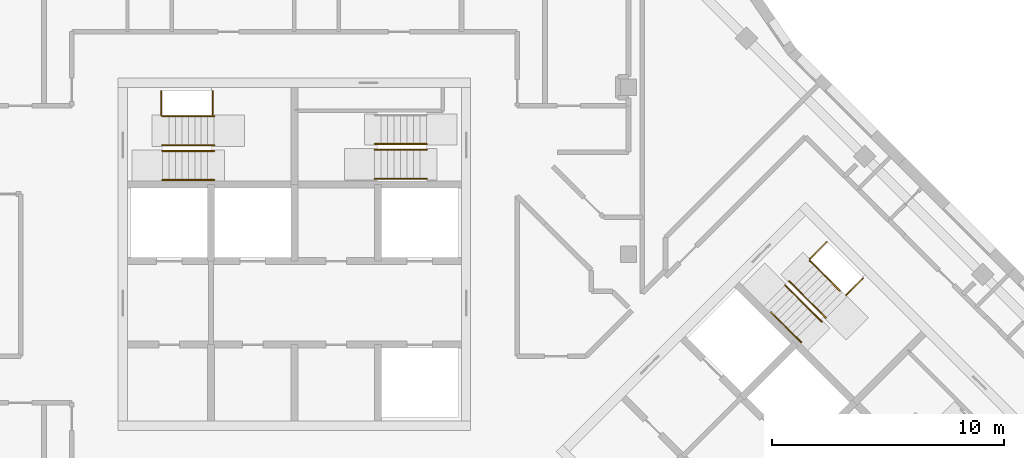
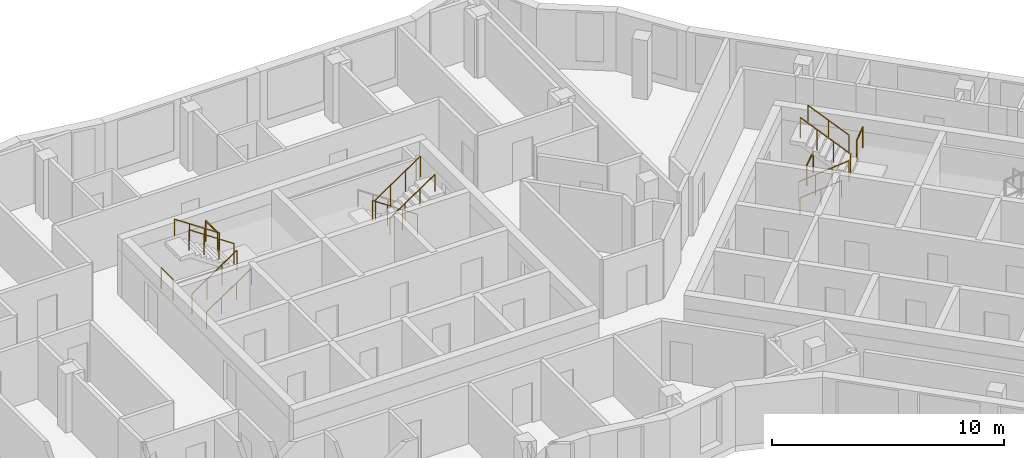
# One storey, part 9 of 11: 15 railings.
"""IFC4 building model written with IfcOpenShell, lengths in metres."""

import ifcopenshell
import ifcopenshell.guid

model = None  # the IFC model being written
_history = None  # IfcOwnerHistory: only IFC2X3 demands one
_inside = {}  # id of a spatial element -> (the spatial element, [elements in it])
_under = {}  # id of a project, library or spatial element -> (it, [spatial elements below it])
_declared = {}  # id of a project -> (the project, [libraries it declares])
_typed = {}  # id of a type object -> (the type object, [elements of that type])
_made_of = {}  # id of a material, layer set ... -> (it, [elements and type objects made of it])


def new_model(schema):
    """Start an empty IFC model of exactly this schema.

    Asked for "IFC4X3", IfcOpenShell would pick the latest addendum, in which some entities
    have other attributes; the version numbers below select the first issue.
    IFC2X3 requires an IfcOwnerHistory on every rooted entity: one is made here for all.
    """
    global model, _history
    if schema == "IFC4X3":
        model = ifcopenshell.file(schema_version=(4, 3, 0, 0))
    else:
        model = ifcopenshell.file(schema=schema)
    _inside.clear()
    _under.clear()
    _declared.clear()
    _typed.clear()
    _made_of.clear()
    _history = None
    if model.schema == "IFC2X3":
        org = make("IfcOrganization", Name="unknown")
        user = make(
            "IfcPersonAndOrganization",
            ThePerson=make("IfcPerson", FamilyName="unknown"),
            TheOrganization=org,
        )
        app = make(
            "IfcApplication",
            ApplicationDeveloper=org,
            Version="unknown",
            ApplicationFullName="unknown",
            ApplicationIdentifier="unknown",
        )
        _history = make(
            "IfcOwnerHistory",
            OwningUser=user,
            OwningApplication=app,
            ChangeAction="ADDED",
            CreationDate=0,
        )
    return model


def make(cls, **values):
    """One entity of the class cls with the attributes given. An attribute that is None is left unset."""
    return model.create_entity(
        cls, **{name: value for name, value in values.items() if value is not None}
    )


def rooted(cls, **values):
    """An entity with a GlobalId (a new one), such as an element, a storey or a relation."""
    return make(cls, GlobalId=ifcopenshell.guid.new(), OwnerHistory=_history, **values)


def si_unit(unit_type, name, prefix=None):
    """IfcSIUnit, for example si_unit("LENGTHUNIT", "METRE", prefix="MILLI")."""
    return make("IfcSIUnit", UnitType=unit_type, Prefix=prefix, Name=name)


def assignment(units):
    """IfcUnitAssignment: the units of a project."""
    return None if units is None else make("IfcUnitAssignment", Units=units)


def point(xyz):
    """IfcCartesianPoint."""
    return None if xyz is None else make("IfcCartesianPoint", Coordinates=xyz)


def direction(xyz):
    """IfcDirection."""
    return None if xyz is None else make("IfcDirection", DirectionRatios=xyz)


def frame(location, z_axis=None, x_axis=None):
    """IfcAxis2Placement3D, a coordinate frame: its origin and axes. An axis left out is left unset."""
    return make(
        "IfcAxis2Placement3D",
        Location=point(location),
        Axis=direction(z_axis),
        RefDirection=direction(x_axis),
    )


def frame_2d(location, x_axis=None):
    """IfcAxis2Placement2D, a coordinate frame in the plane: its origin and x axis."""
    return make(
        "IfcAxis2Placement2D", Location=point(location), RefDirection=direction(x_axis)
    )


def origin():
    """The frame at (0, 0, 0) with its axes left unset."""
    return frame((0.0, 0.0, 0.0))


def origin_2d():
    """The frame at (0, 0) in the plane with its x axis left unset."""
    return frame_2d((0.0, 0.0))


def place(relative_to, where):
    """IfcLocalPlacement: puts the frame where relative to a parent placement (None: the world)."""
    return make(
        "IfcLocalPlacement", PlacementRelTo=relative_to, RelativePlacement=where
    )


def context(
    kind, dimensions, precision=None, world=None, true_north=None, identifier=None
):
    """IfcGeometricRepresentationContext, for example the 3D "Model" context."""
    return make(
        "IfcGeometricRepresentationContext",
        ContextIdentifier=identifier,
        ContextType=kind,
        CoordinateSpaceDimension=dimensions,
        Precision=precision,
        WorldCoordinateSystem=world,
        TrueNorth=true_north,
    )


def subcontext(parent, identifier, kind, view, scale=None):
    """IfcGeometricRepresentationSubContext, for example "Body" below "Model"."""
    return make(
        "IfcGeometricRepresentationSubContext",
        ContextIdentifier=identifier,
        ContextType=kind,
        ParentContext=parent,
        TargetScale=scale,
        TargetView=view,
    )


def project(units=None, contexts=None):
    """IfcProject with its units and contexts."""
    return rooted(
        "IfcProject",
        Name="project",
        RepresentationContexts=contexts,
        UnitsInContext=assignment(units),
    )


def spatial(cls, under=None, at=None, **own):
    """A site, building, storey or space (cls), placed at a placement, below another one or the project."""
    s = rooted(cls, ObjectPlacement=at, **own)
    if under is not None:
        _under.setdefault(under.id(), (under, []))[1].append(s)
    return s


def profile(cls, at=None, kind="AREA", **sizes):
    """A parametric profile (cls). Its sizes go by their IFC names, for example OverallWidth=200.0."""
    return make(cls, ProfileType=kind, Position=at, **sizes)


def circle(**sizes):
    """IfcCircleProfileDef."""
    return profile("IfcCircleProfileDef", **sizes)


def extrude(swept, where, along, depth):
    """IfcExtrudedAreaSolid: the profile swept, set in the frame where, extruded along a direction by depth."""
    return make(
        "IfcExtrudedAreaSolid",
        SweptArea=swept,
        Position=where,
        ExtrudedDirection=direction(along),
        Depth=depth,
    )


def shape(context_of_items, identifier, shape_type, items):
    """IfcShapeRepresentation: the items that make up one representation, for example the "Body"."""
    return make(
        "IfcShapeRepresentation",
        ContextOfItems=context_of_items,
        RepresentationIdentifier=identifier,
        RepresentationType=shape_type,
        Items=items,
    )


def material(Name=None, Category=None):
    """IfcMaterial."""
    return make("IfcMaterial", Name=Name, Category=Category)


def made_of(thing, what):
    """Note that an element or type object is made of a material, layer set ...; save() writes the relation."""
    if what is not None:
        _made_of.setdefault(what.id(), (what, []))[1].append(thing)
    return thing


def type_object(cls, material=None, **own):
    """A type object (cls), such as IfcWallType, which elements share."""
    return made_of(rooted(cls, **own), material)


def element(
    cls,
    number,
    at=None,
    inside=None,
    cuts=None,
    type_object=None,
    material=None,
    context=None,
    identifier="Body",
    shape_type=None,
    held_by="IfcProductDefinitionShape",
    body=None,
    shapes=None,
    **own,
):
    """One element of the class cls, such as IfcWall. Its Tag is "e" and its number.

    at: its placement. inside: the storey or other place that contains it. cuts: it is an
    opening in that element (IfcRelVoidsElement). A single representation is given by context,
    identifier, shape_type and body (its items); several are given by shapes. held_by: the class
    of the entity that holds the representations. save() writes the other relations.
    """
    e = rooted(cls, Tag="e%d" % number, ObjectPlacement=at, **own)
    if body is not None:
        shapes = [shape(context, identifier, shape_type, body)]
    if shapes is not None:
        e.Representation = make(held_by, Representations=shapes)
    if inside is not None:
        _inside.setdefault(inside.id(), (inside, []))[1].append(e)
    if cuts is not None:
        rooted(
            "IfcRelVoidsElement", RelatingBuildingElement=cuts, RelatedOpeningElement=e
        )
    if type_object is not None:
        _typed.setdefault(type_object.id(), (type_object, []))[1].append(e)
    return made_of(e, material)


def aggregate(whole, parts):
    """IfcRelAggregates: a whole, such as a stair, and the parts it consists of."""
    return rooted("IfcRelAggregates", RelatingObject=whole, RelatedObjects=parts)


def save(model, path):
    """Write the relations noted so far, then the file.

    IfcRelAggregates (storeys below a building ...), IfcRelContainedInSpatialStructure (elements
    in a storey), IfcRelDefinesByType, IfcRelAssociatesMaterial and IfcRelDeclares: one each for
    every whole, place, type object, material and project.
    """
    for whole, parts in _under.values():
        aggregate(whole, parts)
    for where, things in _inside.values():
        rooted(
            "IfcRelContainedInSpatialStructure",
            RelatedElements=things,
            RelatingStructure=where,
        )
    for kind, things in _typed.values():
        rooted("IfcRelDefinesByType", RelatedObjects=things, RelatingType=kind)
    for what, things in _made_of.values():
        rooted("IfcRelAssociatesMaterial", RelatedObjects=things, RelatingMaterial=what)
    for by, libraries in _declared.values():
        rooted("IfcRelDeclares", RelatingContext=by, RelatedDefinitions=libraries)
    model.write(path)


model = new_model("IFC4")

# Units and contexts
model_context = context("Model", 3, precision=1e-05, world=origin(), true_north=direction((0.0, 1.0)))
body_context = subcontext(model_context, "Body", "Model", "MODEL_VIEW")
ifc_project = project(units=[si_unit("LENGTHUNIT", "METRE"), si_unit("AREAUNIT", "SQUARE_METRE"), si_unit("VOLUMEUNIT", "CUBIC_METRE"), si_unit("PLANEANGLEUNIT", "RADIAN"), si_unit("MASSUNIT", "GRAM", prefix="KILO")], contexts=[model_context])

# Site, building, storey
site_placement = place(None, origin())
site = spatial("IfcSite", under=ifc_project, at=site_placement, CompositionType="ELEMENT")
building_placement = place(site_placement, origin())
building = spatial("IfcBuilding", under=site, at=building_placement, Name="Windrow Commons", CompositionType="ELEMENT")
storey_placement = place(building_placement, frame((0.0, 0.0, 281.2)))
storey = spatial("IfcBuildingStorey", under=building, at=storey_placement, Name="L77", CompositionType="ELEMENT", Elevation=281.2)

# Railings
ifc_material_1 = material(Name="Steel S355", Category="steel")
railing_type_1 = type_object("IfcRailingType", Name="Core stair guard 1100", PredefinedType="GUARDRAIL", material=ifc_material_1)
railing_1_placement = place(storey_placement, frame((59.1, 62.05, 0.1889)))
element("IfcRailing", 1, at=railing_1_placement, inside=storey, type_object=railing_type_1, Name="L77 ST-A1 stair guard 1", PredefinedType="GUARDRAIL", context=body_context, shape_type="SweptSolid", body=[
    extrude(circle(Radius=0.024, at=origin_2d()), frame((0.0, 0.0, 1.076), z_axis=(0.8290030985, 0.0, 0.5592440099), x_axis=(0.0, 1.0, 0.0)), (0.0, 0.0, 1.0), 2.702),
    extrude(circle(Radius=0.021, at=origin_2d()), origin(), (0.0, 0.0, 1.0), 1.052),
    extrude(circle(Radius=0.021, at=origin_2d()), frame((0.7467, 0.0, 0.5037)), (0.0, 0.0, 1.0), 1.052),
    extrude(circle(Radius=0.021, at=origin_2d()), frame((1.4933, 0.0, 1.0074)), (0.0, 0.0, 1.0), 1.052),
    extrude(circle(Radius=0.021, at=origin_2d()), frame((2.24, 0.0, 1.5111)), (0.0, 0.0, 1.0), 1.052),
])
railing_2_placement = place(storey_placement, frame((61.34, 62.3, 1.8889)))
element("IfcRailing", 2, at=railing_2_placement, inside=storey, type_object=railing_type_1, Name="L77 ST-A1 stair guard 2", PredefinedType="GUARDRAIL", context=body_context, shape_type="SweptSolid", body=[
    extrude(circle(Radius=0.024, at=origin_2d()), frame((0.0, 0.0, 1.076), z_axis=(-0.8290030985, 0.0, 0.5592440099), x_axis=(0.0, -1.0, 0.0)), (0.0, 0.0, 1.0), 2.702),
    extrude(circle(Radius=0.021, at=origin_2d()), origin(), (0.0, 0.0, 1.0), 1.052),
    extrude(circle(Radius=0.021, at=origin_2d()), frame((-0.7467, 0.0, 0.5037)), (0.0, 0.0, 1.0), 1.052),
    extrude(circle(Radius=0.021, at=origin_2d()), frame((-1.4933, 0.0, 1.0074)), (0.0, 0.0, 1.0), 1.052),
    extrude(circle(Radius=0.021, at=origin_2d()), frame((-2.24, 0.0, 1.5111)), (0.0, 0.0, 1.0), 1.052),
])
for number, where, name in (
    (3, (59.05, 63.6, 0.0), "L77 ST-A1 stair guard 3"),
    (4, (61.27, 63.6, 1.7), "L77 ST-A1 stair guard 4"),
):
    element("IfcRailing", number, at=place(storey_placement, frame(where)), inside=storey, type_object=railing_type_1, Name=name, PredefinedType="GUARDRAIL", context=body_context, shape_type="SweptSolid", body=[
        extrude(circle(Radius=0.024, at=origin_2d()), frame((0.0, 0.0, 1.076), z_axis=(0.0, 1.0, 0.0), x_axis=(-1.0, 0.0, 0.0)), (0.0, 0.0, 1.0), 1.03),
        extrude(circle(Radius=0.021, at=origin_2d()), origin(), (0.0, 0.0, 1.0), 1.052),
        extrude(circle(Radius=0.021, at=origin_2d()), frame((0.0, 1.03, 0.0)), (0.0, 0.0, 1.0), 1.052),
    ])
railing_3_placement = place(storey_placement, frame((70.5, 62.355, 0.1889)))
element("IfcRailing", 5, at=railing_3_placement, inside=storey, type_object=railing_type_1, Name="L77 ST-A2 stair guard 1", PredefinedType="GUARDRAIL", context=body_context, shape_type="SweptSolid", body=[
    extrude(circle(Radius=0.024, at=origin_2d()), frame((0.0, 0.0, 1.076), z_axis=(-0.8290030985, 0.0, 0.5592440099), x_axis=(0.0, -1.0, 0.0)), (0.0, 0.0, 1.0), 2.702),
    extrude(circle(Radius=0.021, at=origin_2d()), origin(), (0.0, 0.0, 1.0), 1.052),
    extrude(circle(Radius=0.021, at=origin_2d()), frame((-0.7467, 0.0, 0.5037)), (0.0, 0.0, 1.0), 1.052),
    extrude(circle(Radius=0.021, at=origin_2d()), frame((-1.4933, 0.0, 1.0074)), (0.0, 0.0, 1.0), 1.052),
    extrude(circle(Radius=0.021, at=origin_2d()), frame((-2.24, 0.0, 1.5111)), (0.0, 0.0, 1.0), 1.052),
])
railing_4_placement = place(storey_placement, frame((68.26, 62.105, 1.8889)))
element("IfcRailing", 6, at=railing_4_placement, inside=storey, type_object=railing_type_1, Name="L77 ST-A2 stair guard 2", PredefinedType="GUARDRAIL", context=body_context, shape_type="SweptSolid", body=[
    extrude(circle(Radius=0.024, at=origin_2d()), frame((0.0, 0.0, 1.076), z_axis=(0.8290030985, 0.0, 0.5592440099), x_axis=(0.0, 1.0, 0.0)), (0.0, 0.0, 1.0), 2.702),
    extrude(circle(Radius=0.021, at=origin_2d()), origin(), (0.0, 0.0, 1.0), 1.052),
    extrude(circle(Radius=0.021, at=origin_2d()), frame((0.7467, 0.0, 0.5037)), (0.0, 0.0, 1.0), 1.052),
    extrude(circle(Radius=0.021, at=origin_2d()), frame((1.4933, 0.0, 1.0074)), (0.0, 0.0, 1.0), 1.052),
    extrude(circle(Radius=0.021, at=origin_2d()), frame((2.24, 0.0, 1.5111)), (0.0, 0.0, 1.0), 1.052),
])
railing_5_placement = place(storey_placement, frame((85.9529, 56.2669, 0.1889)))
element("IfcRailing", 7, at=railing_5_placement, inside=storey, type_object=railing_type_1, Name="L77 ST-B1 stair guard 1", PredefinedType="GUARDRAIL", context=body_context, shape_type="SweptSolid", body=[
    extrude(circle(Radius=0.024, at=origin_2d()), frame((0.0, 0.0, 1.076), z_axis=(0.5861914914, -0.5861914914, 0.5592486664), x_axis=(0.7071067812, 0.7071067812, 0.0)), (0.0, 0.0, 1.0), 2.702),
    extrude(circle(Radius=0.021, at=origin_2d()), origin(), (0.0, 0.0, 1.0), 1.052),
    extrude(circle(Radius=0.021, at=origin_2d()), frame((0.528, -0.528, 0.5037)), (0.0, 0.0, 1.0), 1.052),
    extrude(circle(Radius=0.021, at=origin_2d()), frame((1.0559, -1.0559, 1.0074)), (0.0, 0.0, 1.0), 1.052),
    extrude(circle(Radius=0.021, at=origin_2d()), frame((1.5839, -1.5839, 1.5111)), (0.0, 0.0, 1.0), 1.052),
])
railing_6_placement = place(storey_placement, frame((87.7136, 54.8597, 1.8889)))
element("IfcRailing", 8, at=railing_6_placement, inside=storey, type_object=railing_type_1, Name="L77 ST-B1 stair guard 2", PredefinedType="GUARDRAIL", context=body_context, shape_type="SweptSolid", body=[
    extrude(circle(Radius=0.024, at=origin_2d()), frame((0.0, 0.0, 1.076), z_axis=(-0.5862030657, 0.5862030657, 0.5592244018), x_axis=(-0.7071067812, -0.7071067812, 0.0)), (0.0, 0.0, 1.0), 2.7021),
    extrude(circle(Radius=0.021, at=origin_2d()), origin(), (0.0, 0.0, 1.0), 1.052),
    extrude(circle(Radius=0.021, at=origin_2d()), frame((-0.528, 0.528, 0.5037)), (0.0, 0.0, 1.0), 1.052),
    extrude(circle(Radius=0.021, at=origin_2d()), frame((-1.056, 1.056, 1.0074)), (0.0, 0.0, 1.0), 1.052),
    extrude(circle(Radius=0.021, at=origin_2d()), frame((-1.584, 1.584, 1.5111)), (0.0, 0.0, 1.0), 1.052),
])
railing_7_placement = place(storey_placement, frame((87.0135, 57.3982, 0.0)))
element("IfcRailing", 9, at=railing_7_placement, inside=storey, type_object=railing_type_1, Name="L77 ST-B1 stair guard 3", PredefinedType="GUARDRAIL", context=body_context, shape_type="SweptSolid", body=[
    extrude(circle(Radius=0.024, at=origin_2d()), frame((0.0, 0.0, 1.076), z_axis=(0.7070582378, 0.7071553212, 0.0), x_axis=(-0.7071553212, 0.7070582378, 0.0)), (0.0, 0.0, 1.0), 1.03),
    extrude(circle(Radius=0.021, at=origin_2d()), origin(), (0.0, 0.0, 1.0), 1.052),
    extrude(circle(Radius=0.021, at=origin_2d()), frame((0.7283, 0.7284, 0.0)), (0.0, 0.0, 1.0), 1.052),
])
railing_8_placement = place(storey_placement, frame((88.5833, 55.8285, 1.7)))
element("IfcRailing", 10, at=railing_8_placement, inside=storey, type_object=railing_type_1, Name="L77 ST-B1 stair guard 4", PredefinedType="GUARDRAIL", context=body_context, shape_type="SweptSolid", body=[
    extrude(circle(Radius=0.024, at=origin_2d()), frame((0.0, 0.0, 1.076), z_axis=(0.7071067812, 0.7071067812, 0.0), x_axis=(-0.7071067812, 0.7071067812, 0.0)), (0.0, 0.0, 1.0), 1.03),
    extrude(circle(Radius=0.021, at=origin_2d()), origin(), (0.0, 0.0, 1.0), 1.052),
    extrude(circle(Radius=0.021, at=origin_2d()), frame((0.7283, 0.7283, 0.0)), (0.0, 0.0, 1.0), 1.052),
])
ifc_material_2 = material(Name="Steel S355", Category="steel")
railing_type_2 = type_object("IfcRailingType", Name="Core stair handrail 900", PredefinedType="HANDRAIL", material=ifc_material_2)
railing_9_placement = place(storey_placement, frame((59.1, 60.8, 0.1889)))
element("IfcRailing", 11, at=railing_9_placement, inside=storey, type_object=railing_type_2, Name="L77 ST-A1 stair handrail 1", PredefinedType="HANDRAIL", context=body_context, shape_type="SweptSolid", body=[
    extrude(circle(Radius=0.024, at=origin_2d()), frame((0.0, 0.0, 0.876), z_axis=(0.8290030985, 0.0, 0.5592440099), x_axis=(0.0, 1.0, 0.0)), (0.0, 0.0, 1.0), 2.702),
    extrude(circle(Radius=0.021, at=origin_2d()), origin(), (0.0, 0.0, 1.0), 0.852),
    extrude(circle(Radius=0.021, at=origin_2d()), frame((0.7467, 0.0, 0.5037)), (0.0, 0.0, 1.0), 0.852),
    extrude(circle(Radius=0.021, at=origin_2d()), frame((1.4933, 0.0, 1.0074)), (0.0, 0.0, 1.0), 0.852),
    extrude(circle(Radius=0.021, at=origin_2d()), frame((2.24, 0.0, 1.5111)), (0.0, 0.0, 1.0), 0.852),
])
railing_10_placement = place(storey_placement, frame((61.34, 63.55, 1.8889)))
element("IfcRailing", 12, at=railing_10_placement, inside=storey, type_object=railing_type_2, Name="L77 ST-A1 stair handrail 2", PredefinedType="HANDRAIL", context=body_context, shape_type="SweptSolid", body=[
    extrude(circle(Radius=0.024, at=origin_2d()), frame((0.0, 0.0, 0.876), z_axis=(-0.8290030985, 0.0, 0.5592440099), x_axis=(0.0, -1.0, 0.0)), (0.0, 0.0, 1.0), 2.702),
    extrude(circle(Radius=0.021, at=origin_2d()), origin(), (0.0, 0.0, 1.0), 0.852),
    extrude(circle(Radius=0.021, at=origin_2d()), frame((-0.7467, 0.0, 0.5037)), (0.0, 0.0, 1.0), 0.852),
    extrude(circle(Radius=0.021, at=origin_2d()), frame((-1.4933, 0.0, 1.0074)), (0.0, 0.0, 1.0), 0.852),
    extrude(circle(Radius=0.021, at=origin_2d()), frame((-2.24, 0.0, 1.5111)), (0.0, 0.0, 1.0), 0.852),
])
railing_11_placement = place(storey_placement, frame((68.26, 60.855, 1.8889)))
element("IfcRailing", 13, at=railing_11_placement, inside=storey, type_object=railing_type_2, Name="L77 ST-A2 stair handrail 2", PredefinedType="HANDRAIL", context=body_context, shape_type="SweptSolid", body=[
    extrude(circle(Radius=0.024, at=origin_2d()), frame((0.0, 0.0, 0.876), z_axis=(0.8290030985, 0.0, 0.5592440099), x_axis=(0.0, 1.0, 0.0)), (0.0, 0.0, 1.0), 2.702),
    extrude(circle(Radius=0.021, at=origin_2d()), origin(), (0.0, 0.0, 1.0), 0.852),
    extrude(circle(Radius=0.021, at=origin_2d()), frame((0.7467, 0.0, 0.5037)), (0.0, 0.0, 1.0), 0.852),
    extrude(circle(Radius=0.021, at=origin_2d()), frame((1.4933, 0.0, 1.0074)), (0.0, 0.0, 1.0), 0.852),
    extrude(circle(Radius=0.021, at=origin_2d()), frame((2.24, 0.0, 1.5111)), (0.0, 0.0, 1.0), 0.852),
])
railing_12_placement = place(storey_placement, frame((85.3518, 55.1001, 0.4587)))
element("IfcRailing", 14, at=railing_12_placement, inside=storey, type_object=railing_type_2, Name="L77 ST-B1 stair handrail 1", PredefinedType="HANDRAIL", context=body_context, shape_type="SweptSolid", body=[
    extrude(circle(Radius=0.024, at=origin_2d()), frame((0.0, 0.0, 0.876), z_axis=(0.586206706, -0.5861616513, 0.5592639952), x_axis=(0.7070796062, 0.7071339551, 0.0)), (0.0, 0.0, 1.0), 2.2195),
    extrude(circle(Radius=0.021, at=origin_2d()), origin(), (0.0, 0.0, 1.0), 0.852),
    extrude(circle(Radius=0.021, at=origin_2d()), frame((0.6506, -0.6505, 0.6206)), (0.0, 0.0, 1.0), 0.852),
    extrude(circle(Radius=0.021, at=origin_2d()), frame((1.3011, -1.301, 1.2413)), (0.0, 0.0, 1.0), 0.852),
])
railing_13_placement = place(storey_placement, frame((88.3146, 56.0265, 2.1587)))
element("IfcRailing", 15, at=railing_13_placement, inside=storey, type_object=railing_type_2, Name="L77 ST-B1 stair handrail 2", PredefinedType="HANDRAIL", context=body_context, shape_type="SweptSolid", body=[
    extrude(circle(Radius=0.024, at=origin_2d()), frame((0.0, 0.0, 0.876), z_axis=(-0.586206706, 0.5861616513, 0.5592639952), x_axis=(-0.7070796062, -0.7071339551, 0.0)), (0.0, 0.0, 1.0), 2.2195),
    extrude(circle(Radius=0.021, at=origin_2d()), origin(), (0.0, 0.0, 1.0), 0.852),
    extrude(circle(Radius=0.021, at=origin_2d()), frame((-0.6506, 0.6505, 0.6207)), (0.0, 0.0, 1.0), 0.852),
    extrude(circle(Radius=0.021, at=origin_2d()), frame((-1.3011, 1.301, 1.2413)), (0.0, 0.0, 1.0), 0.852),
])

save(model, "model.ifc")
